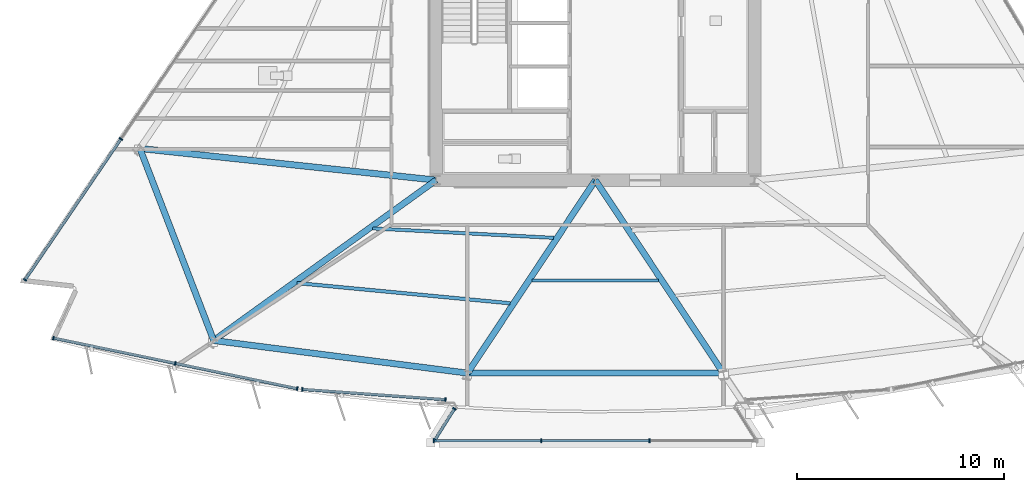
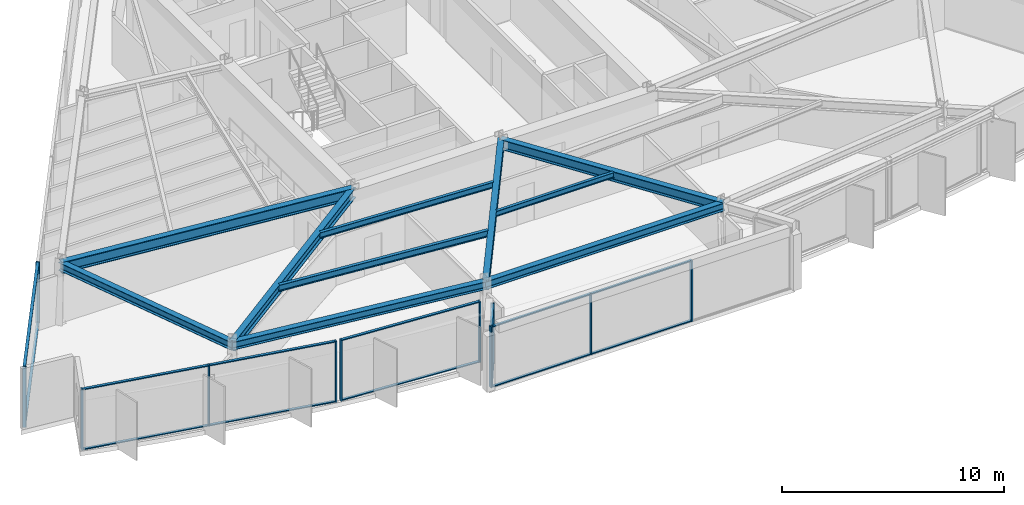
# One storey, part 2 of 15: 26 members, 10 beams, 5 elements without a shape of their own.
"""IFC4 building model written with IfcOpenShell, lengths in metres."""

from ifc_helpers import new_model, si_unit, direction, frame, origin, origin_2d, place, context, subcontext, project, spatial, rectangle, i_section, extrude, material, material_profile, profile_set, type_object, element, aggregate, save


model = new_model("IFC4")

# Units and contexts
model_context = context("Model", 3, precision=1e-05, world=origin(), true_north=direction((0.0, 1.0)))
body_context = subcontext(model_context, "Body", "Model", "MODEL_VIEW")
ifc_project = project(units=[si_unit("LENGTHUNIT", "METRE"), si_unit("AREAUNIT", "SQUARE_METRE"), si_unit("VOLUMEUNIT", "CUBIC_METRE"), si_unit("PLANEANGLEUNIT", "RADIAN"), si_unit("MASSUNIT", "GRAM", prefix="KILO")], contexts=[model_context])

# Site, building, storey
site_placement = place(None, origin())
site = spatial("IfcSite", under=ifc_project, at=site_placement, CompositionType="ELEMENT")
building_placement = place(site_placement, origin())
building = spatial("IfcBuilding", under=site, at=building_placement, Name="Savorim Split Tower", CompositionType="ELEMENT")
storey_placement = place(building_placement, frame((0.0, 0.0, 118.5)))
storey = spatial("IfcBuildingStorey", under=building, at=storey_placement, Name="L31", CompositionType="ELEMENT", Elevation=118.5)

# Beams
ifc_material_1 = material(Name="Steel S355", Category="steel")
ifc_material_profile_1 = material_profile(ifc_material_1, i_section(OverallWidth=0.14990234375, OverallDepth=0.300048828125, WebThickness=0.007080078125, FlangeThickness=0.0107421875, FilletRadius=0.014892578125, at=origin_2d()), Name="IPE 300")
ifc_profile_set_1 = profile_set([ifc_material_profile_1], Name="Steel S355")
beam_type_1 = type_object("IfcBeamType", Name="BM-JST-IPE300", PredefinedType="JOIST", material=ifc_profile_set_1)
beam_1_placement = place(storey_placement, frame((-3.055908203125, -14.250732421875, 3.199951171875), z_axis=(1.0, 0.0, 0.0), x_axis=(0.0, 1.0, 0.0)))
element("IfcBeam", 1, at=beam_1_placement, inside=storey, type_object=beam_type_1, Name="L31 Secondary Floor Joist JS-03", PredefinedType="JOIST", context=body_context, shape_type="SweptSolid", body=[
    extrude(i_section(OverallWidth=0.14990234375, OverallDepth=0.300048828125, WebThickness=0.007080078125, FlangeThickness=0.0107421875, FilletRadius=0.014892578125, at=origin_2d()), origin(), (0.0, 0.0, 1.0), 6.11181640625),
])
ifc_material_profile_2 = material_profile(ifc_material_1, i_section(OverallWidth=0.159912109375, OverallDepth=0.330078125, WebThickness=0.007568359375, FlangeThickness=0.011474609375, FilletRadius=0.01806640625, at=origin_2d()), Name="IPE 330")
ifc_profile_set_2 = profile_set([ifc_material_profile_2], Name="Steel S355")
beam_type_2 = type_object("IfcBeamType", Name="BM-JST-IPE330", PredefinedType="JOIST", material=ifc_profile_set_2)
beam_2_placement = place(storey_placement, frame((-10.76611328125, -11.734375, 3.18505859375), z_axis=(0.998646235544, -0.052016307381, 0.0), x_axis=(0.052016307381, 0.998646235544, 0.0)))
element("IfcBeam", 2, at=beam_2_placement, inside=storey, type_object=beam_type_2, Name="L31 Secondary Floor Joist JS-02", PredefinedType="JOIST", context=body_context, shape_type="SweptSolid", body=[
    extrude(i_section(OverallWidth=0.159912109375, OverallDepth=0.330078125, WebThickness=0.007568359375, FlangeThickness=0.011474609375, FilletRadius=0.01806640625, at=origin_2d()), origin(), (0.0, 0.0, 1.0), 8.762939453125),
])
ifc_material_profile_3 = material_profile(ifc_material_1, i_section(OverallWidth=0.169921875, OverallDepth=0.360107421875, WebThickness=0.008056640625, FlangeThickness=0.0126953125, FilletRadius=0.01806640625, at=origin_2d()), Name="IPE 360")
ifc_profile_set_3 = profile_set([ifc_material_profile_3], Name="Steel S355")
beam_type_3 = type_object("IfcBeamType", Name="BM-JST-IPE360", PredefinedType="JOIST", material=ifc_profile_set_3)
beam_3_placement = place(storey_placement, frame((-14.422607421875, -14.377197265625, 3.169921875), z_axis=(0.995528801056, -0.094458489652, 0.0), x_axis=(0.094458489652, 0.995528801056, 0.0)))
element("IfcBeam", 3, at=beam_3_placement, inside=storey, type_object=beam_type_3, Name="L31 Secondary Floor Joist JS-01", PredefinedType="JOIST", context=body_context, shape_type="SweptSolid", body=[
    extrude(i_section(OverallWidth=0.169921875, OverallDepth=0.360107421875, WebThickness=0.008056640625, FlangeThickness=0.0126953125, FilletRadius=0.01806640625, at=origin_2d()), origin(), (0.0, 0.0, 1.0), 10.3515625),
])
ifc_material_profile_4 = material_profile(ifc_material_1, i_section(OverallWidth=0.300048828125, OverallDepth=0.550048828125, WebThickness=0.014892578125, FlangeThickness=0.029052734375, FilletRadius=0.027099609375, at=origin_2d()), Name="HEB 550")
ifc_profile_set_4 = profile_set([ifc_material_profile_4], Name="Steel S355")
beam_type_4 = type_object("IfcBeamType", Name="BM-PRI-HEB550", PredefinedType="BEAM", material=ifc_profile_set_4)
beam_4_placement = place(storey_placement, frame((-18.452880859375, -17.1533203125, 3.074951171875), z_axis=(0.811129647131, 0.584866391191, 0.0), x_axis=(-0.584866391191, 0.811129647131, 0.0)))
element("IfcBeam", 4, at=beam_4_placement, inside=storey, type_object=beam_type_4, Name="L31 Primary Floor Girder RG-01", PredefinedType="BEAM", context=body_context, shape_type="SweptSolid", body=[
    extrude(i_section(OverallWidth=0.300048828125, OverallDepth=0.550048828125, WebThickness=0.014892578125, FlangeThickness=0.029052734375, FilletRadius=0.027099609375, at=origin_2d()), origin(), (0.0, 0.0, 1.0), 13.2568359375),
])
for number, where, z_axis, x_axis, name in (
    (5, (-6.1845703125, -18.728515625, 3.074951171875), (0.552564064167, 0.833470428384, 0.0), (-0.833470428384, 0.552564064167, 0.0), "L31 Primary Floor Girder RG-02"),
    (6, (6.1845703125, -18.728515625, 3.074951171875), (-0.552564064167, 0.833470428384, 0.0), (-0.833470428384, -0.552564064167, 0.0), "L31 Primary Floor Girder RG-03"),
):
    element("IfcBeam", number, at=place(storey_placement, frame(where, z_axis=z_axis, x_axis=x_axis)), inside=storey, type_object=beam_type_4, Name=name, PredefinedType="BEAM", context=body_context, shape_type="SweptSolid", body=[
        extrude(i_section(OverallWidth=0.300048828125, OverallDepth=0.550048828125, WebThickness=0.014892578125, FlangeThickness=0.029052734375, FilletRadius=0.027099609375, at=origin_2d()), origin(), (0.0, 0.0, 1.0), 11.1923828125),
    ])
ifc_material_2 = material(Name="Steel S460", Category="steel")
ifc_material_profile_5 = material_profile(ifc_material_2, i_section(OverallWidth=0.304931640625, OverallDepth=0.6201171875, WebThickness=0.02099609375, FlangeThickness=0.0400390625, FilletRadius=0.027099609375, at=origin_2d()), Name="HE 600 M")
ifc_profile_set_5 = profile_set([ifc_material_profile_5], Name="Steel S460")
beam_type_5 = type_object("IfcBeamType", Name="BM-PRI-HEM600", PredefinedType="BEAM", material=ifc_profile_set_5)
beam_5_placement = place(storey_placement, frame((-22.02099609375, -7.869873046875, 3.0400390625), z_axis=(0.994341236918, -0.106233255456, 0.0), x_axis=(0.106233255456, 0.994341236918, 0.0)))
element("IfcBeam", 7, at=beam_5_placement, inside=storey, type_object=beam_type_5, Name="L31 Primary Floor Girder RG-10", PredefinedType="BEAM", context=body_context, shape_type="SweptSolid", body=[
    extrude(i_section(OverallWidth=0.304931640625, OverallDepth=0.6201171875, WebThickness=0.02099609375, FlangeThickness=0.0400390625, FilletRadius=0.027099609375, at=origin_2d()), origin(), (0.0, 0.0, 1.0), 14.402587890625),
])
ifc_material_profile_6 = material_profile(ifc_material_1, i_section(OverallWidth=0.300048828125, OverallDepth=0.43994140625, WebThickness=0.011474609375, FlangeThickness=0.02099609375, FilletRadius=0.027099609375, at=origin_2d()), Name="HEA 450")
ifc_profile_set_6 = profile_set([ifc_material_profile_6], Name="Steel S355")
beam_type_6 = type_object("IfcBeamType", Name="BM-SPN-HEA450", PredefinedType="SPANDREL", material=ifc_profile_set_6)
for number, where, z_axis, x_axis, name in (
    (8, (-18.452880859375, -17.1533203125, 3.1298828125), (0.991857836494, -0.12735003803, 0.0), (0.12735003803, 0.991857836494, 0.0), "L31 Perimeter Spandrel Beam 1"),
    (9, (-6.1845703125, -18.728515625, 3.1298828125), (1.0, 0.0, 0.0), (0.0, 1.0, 0.0), "L31 Perimeter Spandrel Beam 2"),
):
    element("IfcBeam", number, at=place(storey_placement, frame(where, z_axis=z_axis, x_axis=x_axis)), inside=storey, type_object=beam_type_6, Name=name, PredefinedType="SPANDREL", context=body_context, shape_type="SweptSolid", body=[
        extrude(i_section(OverallWidth=0.300048828125, OverallDepth=0.43994140625, WebThickness=0.011474609375, FlangeThickness=0.02099609375, FilletRadius=0.027099609375, at=origin_2d()), origin(), (0.0, 0.0, 1.0), 12.369140625),
    ])
beam_6_placement = place(storey_placement, frame((-22.02099609375, -7.869873046875, 3.1298828125), z_axis=(0.358765226169, -0.933427829289, 0.0), x_axis=(0.933427829289, 0.358765226169, 0.0)))
element("IfcBeam", 10, at=beam_6_placement, inside=storey, type_object=beam_type_6, Name="L31 Perimeter Spandrel Beam 10", PredefinedType="SPANDREL", context=body_context, shape_type="SweptSolid", body=[
    extrude(i_section(OverallWidth=0.300048828125, OverallDepth=0.43994140625, WebThickness=0.011474609375, FlangeThickness=0.02099609375, FilletRadius=0.027099609375, at=origin_2d()), origin(), (0.0, 0.0, 1.0), 9.945556640625),
])

# Curtain wall, members
ifc_material_3 = material(Name="Dark Ceramic-Fritted Insulated Glass", Category="glass")
curtain_wall_type_1 = type_object("IfcCurtainWallType", Name="CW-TWR-FRIT-A", PredefinedType="NOTDEFINED", material=ifc_material_3)
curtain_wall_1_placement = place(storey_placement, origin())
curtain_wall_1 = element("IfcCurtainWall", 11, at=curtain_wall_1_placement, inside=storey, type_object=curtain_wall_type_1, Name="L31 Curtain Wall CW-L31-SF1A", PredefinedType="NOTDEFINED")
ifc_material_4 = material(Name="Charcoal Anodised Aluminium", Category="aluminium")
ifc_material_profile_7 = material_profile(ifc_material_4, rectangle(XDim=0.179931640625, YDim=0.06494140625, at=origin_2d()), Name="ALU-M 180x65")
ifc_profile_set_7 = profile_set([ifc_material_profile_7], Name="Charcoal Anodised Aluminium")
member_type_1 = type_object("IfcMemberType", Name="CWM-180x65", PredefinedType="MULLION", material=ifc_profile_set_7)
member_1_placement = place(storey_placement, frame((-26.201171875, -17.0341796875, 0.0), z_axis=(0.0, 0.0, 1.0), x_axis=(0.203216307351, 0.979133868491, 0.0)))
member_1 = element("IfcMember", 12, at=member_1_placement, type_object=member_type_1, Name="CW-02 mullion 1", PredefinedType="MULLION", context=body_context, shape_type="SweptSolid", body=[
    extrude(rectangle(XDim=0.179931640625, YDim=0.06494140625, at=origin_2d()), origin(), (0.0, 0.0, 1.0), 3.35009765625),
])
member_2_placement = place(storey_placement, frame((-20.30859375, -18.257080078125, 0.0), z_axis=(0.0, 0.0, 1.0), x_axis=(0.203216307351, 0.979133868491, 0.0)))
member_2 = element("IfcMember", 13, at=member_2_placement, type_object=member_type_1, Name="CW-02 mullion 2", PredefinedType="MULLION", context=body_context, shape_type="SweptSolid", body=[
    extrude(rectangle(XDim=0.179931640625, YDim=0.06494140625, at=origin_2d()), origin(), (0.0, 0.0, 1.0), 3.35009765625),
])
member_3_placement = place(storey_placement, frame((-14.416259765625, -19.47998046875, 0.0), z_axis=(0.0, 0.0, 1.0), x_axis=(0.203216307351, 0.979133868491, 0.0)))
member_3 = element("IfcMember", 14, at=member_3_placement, type_object=member_type_1, Name="CW-02 mullion 3", PredefinedType="MULLION", context=body_context, shape_type="SweptSolid", body=[
    extrude(rectangle(XDim=0.179931640625, YDim=0.06494140625, at=origin_2d()), origin(), (0.0, 0.0, 1.0), 3.35009765625),
])

curtain_wall_2_placement = place(storey_placement, origin())
curtain_wall_2 = element("IfcCurtainWall", 15, at=curtain_wall_2_placement, inside=storey, type_object=curtain_wall_type_1, Name="L31 Curtain Wall CW-L31-SF2A", PredefinedType="NOTDEFINED")
member_4_placement = place(storey_placement, frame((-14.170166015625, -19.514404296875, 0.0), z_axis=(0.0, 0.0, 1.0), x_axis=(0.071548593758, 0.997437115176, 0.0)))
member_4 = element("IfcMember", 16, at=member_4_placement, type_object=member_type_1, Name="CW-02 mullion 1", PredefinedType="MULLION", context=body_context, shape_type="SweptSolid", body=[
    extrude(rectangle(XDim=0.179931640625, YDim=0.06494140625, at=origin_2d()), origin(), (0.0, 0.0, 1.0), 3.35009765625),
])
member_5_placement = place(storey_placement, frame((-7.253662109375, -20.010498046875, 0.0), z_axis=(0.0, 0.0, 1.0), x_axis=(0.071548593758, 0.997437115176, 0.0)))
member_5 = element("IfcMember", 17, at=member_5_placement, type_object=member_type_1, Name="CW-02 mullion 2", PredefinedType="MULLION", context=body_context, shape_type="SweptSolid", body=[
    extrude(rectangle(XDim=0.179931640625, YDim=0.06494140625, at=origin_2d()), origin(), (0.0, 0.0, 1.0), 3.35009765625),
])

curtain_wall_type_2 = type_object("IfcCurtainWallType", Name="CW-BAY-LOUNGE", PredefinedType="NOTDEFINED", material=ifc_material_3)
curtain_wall_3_placement = place(storey_placement, origin())
curtain_wall_3 = element("IfcCurtainWall", 18, at=curtain_wall_3_placement, inside=storey, type_object=curtain_wall_type_2, Name="L31 Curtain Wall CW-L31-BAYF", PredefinedType="NOTDEFINED")
member_6_placement = place(storey_placement, frame((-7.814453125, -21.99951171875, 0.0), z_axis=(0.0, 0.0, 1.0), x_axis=(0.0, 1.0, 0.0)))
member_6 = element("IfcMember", 19, at=member_6_placement, type_object=member_type_1, Name="CW-04 mullion 1", PredefinedType="MULLION", context=body_context, shape_type="SweptSolid", body=[
    extrude(rectangle(XDim=0.179931640625, YDim=0.06494140625, at=origin_2d()), origin(), (0.0, 0.0, 1.0), 3.35009765625),
])
member_7_placement = place(storey_placement, frame((-2.61572265625, -21.99951171875, 0.0), z_axis=(0.0, 0.0, 1.0), x_axis=(0.0, 1.0, 0.0)))
member_7 = element("IfcMember", 20, at=member_7_placement, type_object=member_type_1, Name="CW-04 mullion 2", PredefinedType="MULLION", context=body_context, shape_type="SweptSolid", body=[
    extrude(rectangle(XDim=0.179931640625, YDim=0.06494140625, at=origin_2d()), origin(), (0.0, 0.0, 1.0), 3.35009765625),
])
member_8_placement = place(storey_placement, frame((2.61572265625, -21.99951171875, 0.0), z_axis=(0.0, 0.0, 1.0), x_axis=(0.0, 1.0, 0.0)))
member_8 = element("IfcMember", 21, at=member_8_placement, type_object=member_type_1, Name="CW-04 mullion 3", PredefinedType="MULLION", context=body_context, shape_type="SweptSolid", body=[
    extrude(rectangle(XDim=0.179931640625, YDim=0.06494140625, at=origin_2d()), origin(), (0.0, 0.0, 1.0), 3.35009765625),
])

curtain_wall_4_placement = place(storey_placement, origin())
curtain_wall_4 = element("IfcCurtainWall", 22, at=curtain_wall_4_placement, inside=storey, type_object=curtain_wall_type_2, Name="L31 Curtain Wall CW-L31-BAYW", PredefinedType="NOTDEFINED")
member_9_placement = place(storey_placement, frame((-6.8154296875, -20.4521484375, 0.0), z_axis=(0.0, 0.0, 1.0), x_axis=(0.847130755522, -0.531384496432, 0.0)))
member_9 = element("IfcMember", 23, at=member_9_placement, type_object=member_type_1, Name="CW-04 mullion 1", PredefinedType="MULLION", context=body_context, shape_type="SweptSolid", body=[
    extrude(rectangle(XDim=0.179931640625, YDim=0.06494140625, at=origin_2d()), origin(), (0.0, 0.0, 1.0), 3.35009765625),
])
member_10_placement = place(storey_placement, frame((-7.756103515625, -21.951416015625, 0.0), z_axis=(0.0, 0.0, 1.0), x_axis=(0.847130755522, -0.531384496432, 0.0)))
member_10 = element("IfcMember", 24, at=member_10_placement, type_object=member_type_1, Name="CW-04 mullion 2", PredefinedType="MULLION", context=body_context, shape_type="SweptSolid", body=[
    extrude(rectangle(XDim=0.179931640625, YDim=0.06494140625, at=origin_2d()), origin(), (0.0, 0.0, 1.0), 3.35009765625),
])

curtain_wall_5_placement = place(storey_placement, origin())
curtain_wall_5 = element("IfcCurtainWall", 25, at=curtain_wall_5_placement, inside=storey, type_object=curtain_wall_type_1, Name="L31 Curtain Wall CW-L31-WEST", PredefinedType="NOTDEFINED")
member_11_placement = place(storey_placement, frame((-22.94140625, -7.4091796875, 0.0), z_axis=(0.0, 0.0, 1.0), x_axis=(0.826819959579, -0.562466669628, 0.0)))
member_11 = element("IfcMember", 26, at=member_11_placement, type_object=member_type_1, Name="CW-02 mullion 4", PredefinedType="MULLION", context=body_context, shape_type="SweptSolid", body=[
    extrude(rectangle(XDim=0.179931640625, YDim=0.06494140625, at=origin_2d()), origin(), (0.0, 0.0, 1.0), 3.35009765625),
])
member_12_placement = place(storey_placement, frame((-27.57568359375, -14.221435546875, 0.0), z_axis=(0.0, 0.0, 1.0), x_axis=(0.826819959579, -0.562466669628, 0.0)))
member_12 = element("IfcMember", 27, at=member_12_placement, type_object=member_type_1, Name="CW-02 mullion 5", PredefinedType="MULLION", context=body_context, shape_type="SweptSolid", body=[
    extrude(rectangle(XDim=0.179931640625, YDim=0.06494140625, at=origin_2d()), origin(), (0.0, 0.0, 1.0), 3.35009765625),
])

# Member
ifc_material_profile_8 = material_profile(ifc_material_4, rectangle(XDim=0.139892578125, YDim=0.054931640625, at=origin_2d()), Name="ALU-T 140x55")
ifc_profile_set_8 = profile_set([ifc_material_profile_8], Name="Charcoal Anodised Aluminium")
member_type_2 = type_object("IfcMemberType", Name="CWT-140x55", PredefinedType="USERDEFINED", material=ifc_profile_set_8)
member_13_placement = place(storey_placement, frame((-26.169189453125, -17.040771484375, 0.027587890625), z_axis=(0.979133683494, -0.203217198698, 0.0), x_axis=(0.203217198698, 0.979133683494, 0.0)))
member_13 = element("IfcMember", 28, at=member_13_placement, type_object=member_type_2, Name="CW-02 transom 1.1", ObjectType="TRANSOM", PredefinedType="USERDEFINED", context=body_context, shape_type="SweptSolid", body=[
    extrude(rectangle(XDim=0.139892578125, YDim=0.054931640625, at=origin_2d()), origin(), (0.0, 0.0, 1.0), 5.952880859375),
])

member_14_placement = place(storey_placement, frame((-26.169189453125, -17.040771484375, 3.322509765625), z_axis=(0.979133683494, -0.203217198698, 0.0), x_axis=(0.203217198698, 0.979133683494, 0.0)))
member_14 = element("IfcMember", 29, at=member_14_placement, type_object=member_type_2, Name="CW-02 transom 1.2", ObjectType="TRANSOM", PredefinedType="USERDEFINED", context=body_context, shape_type="SweptSolid", body=[
    extrude(rectangle(XDim=0.139892578125, YDim=0.054931640625, at=origin_2d()), origin(), (0.0, 0.0, 1.0), 5.952880859375),
])

member_15_placement = place(storey_placement, frame((-20.27685546875, -18.263671875, 0.027587890625), z_axis=(0.979133683494, -0.203217198698, 0.0), x_axis=(0.203217198698, 0.979133683494, 0.0)))
member_15 = element("IfcMember", 30, at=member_15_placement, type_object=member_type_2, Name="CW-02 transom 2.1", ObjectType="TRANSOM", PredefinedType="USERDEFINED", context=body_context, shape_type="SweptSolid", body=[
    extrude(rectangle(XDim=0.139892578125, YDim=0.054931640625, at=origin_2d()), origin(), (0.0, 0.0, 1.0), 5.952880859375),
])

member_16_placement = place(storey_placement, frame((-20.27685546875, -18.263671875, 3.322509765625), z_axis=(0.979133683494, -0.203217198698, 0.0), x_axis=(0.203217198698, 0.979133683494, 0.0)))
member_16 = element("IfcMember", 31, at=member_16_placement, type_object=member_type_2, Name="CW-02 transom 2.2", ObjectType="TRANSOM", PredefinedType="USERDEFINED", context=body_context, shape_type="SweptSolid", body=[
    extrude(rectangle(XDim=0.139892578125, YDim=0.054931640625, at=origin_2d()), origin(), (0.0, 0.0, 1.0), 5.952880859375),
])

aggregate(curtain_wall_1, [member_1, member_2, member_3, member_13, member_14, member_15, member_16])

member_17_placement = place(storey_placement, frame((-14.137939453125, -19.5166015625, 0.027587890625), z_axis=(0.997437548387, -0.071542554246, 0.0), x_axis=(0.071542554246, 0.997437548387, 0.0)))
member_17 = element("IfcMember", 32, at=member_17_placement, type_object=member_type_2, Name="CW-02 transom 1.1", ObjectType="TRANSOM", PredefinedType="USERDEFINED", context=body_context, shape_type="SweptSolid", body=[
    extrude(rectangle(XDim=0.139892578125, YDim=0.054931640625, at=origin_2d()), origin(), (0.0, 0.0, 1.0), 6.869384765625),
])

member_18_placement = place(storey_placement, frame((-14.137939453125, -19.5166015625, 3.322509765625), z_axis=(0.997437548387, -0.071542554246, 0.0), x_axis=(0.071542554246, 0.997437548387, 0.0)))
member_18 = element("IfcMember", 33, at=member_18_placement, type_object=member_type_2, Name="CW-02 transom 1.2", ObjectType="TRANSOM", PredefinedType="USERDEFINED", context=body_context, shape_type="SweptSolid", body=[
    extrude(rectangle(XDim=0.139892578125, YDim=0.054931640625, at=origin_2d()), origin(), (0.0, 0.0, 1.0), 6.869384765625),
])

aggregate(curtain_wall_2, [member_4, member_5, member_17, member_18])

member_19_placement = place(storey_placement, frame((-7.781982421875, -21.99951171875, 0.027587890625), z_axis=(1.0, 0.0, 0.0), x_axis=(0.0, 1.0, 0.0)))
member_19 = element("IfcMember", 34, at=member_19_placement, type_object=member_type_2, Name="CW-04 transom 1.1", ObjectType="TRANSOM", PredefinedType="USERDEFINED", context=body_context, shape_type="SweptSolid", body=[
    extrude(rectangle(XDim=0.139892578125, YDim=0.054931640625, at=origin_2d()), origin(), (0.0, 0.0, 1.0), 5.1337890625),
])

member_20_placement = place(storey_placement, frame((-7.781982421875, -21.99951171875, 3.322509765625), z_axis=(1.0, 0.0, 0.0), x_axis=(0.0, 1.0, 0.0)))
member_20 = element("IfcMember", 35, at=member_20_placement, type_object=member_type_2, Name="CW-04 transom 1.2", ObjectType="TRANSOM", PredefinedType="USERDEFINED", context=body_context, shape_type="SweptSolid", body=[
    extrude(rectangle(XDim=0.139892578125, YDim=0.054931640625, at=origin_2d()), origin(), (0.0, 0.0, 1.0), 5.1337890625),
])

member_21_placement = place(storey_placement, frame((-2.583251953125, -21.99951171875, 0.027587890625), z_axis=(1.0, 0.0, 0.0), x_axis=(0.0, 1.0, 0.0)))
member_21 = element("IfcMember", 36, at=member_21_placement, type_object=member_type_2, Name="CW-04 transom 2.1", ObjectType="TRANSOM", PredefinedType="USERDEFINED", context=body_context, shape_type="SweptSolid", body=[
    extrude(rectangle(XDim=0.139892578125, YDim=0.054931640625, at=origin_2d()), origin(), (0.0, 0.0, 1.0), 5.16650390625),
])

member_22_placement = place(storey_placement, frame((-2.583251953125, -21.99951171875, 3.322509765625), z_axis=(1.0, 0.0, 0.0), x_axis=(0.0, 1.0, 0.0)))
member_22 = element("IfcMember", 37, at=member_22_placement, type_object=member_type_2, Name="CW-04 transom 2.2", ObjectType="TRANSOM", PredefinedType="USERDEFINED", context=body_context, shape_type="SweptSolid", body=[
    extrude(rectangle(XDim=0.139892578125, YDim=0.054931640625, at=origin_2d()), origin(), (0.0, 0.0, 1.0), 5.16650390625),
])

aggregate(curtain_wall_3, [member_6, member_7, member_8, member_19, member_20, member_21, member_22])

member_23_placement = place(storey_placement, frame((-6.832763671875, -20.4794921875, 0.027587890625), z_axis=(-0.531388323882, -0.847128354644, 0.0), x_axis=(0.847128354644, -0.531388323882, 0.0)))
member_23 = element("IfcMember", 38, at=member_23_placement, type_object=member_type_2, Name="CW-04 transom 1.1", ObjectType="TRANSOM", PredefinedType="USERDEFINED", context=body_context, shape_type="SweptSolid", body=[
    extrude(rectangle(XDim=0.139892578125, YDim=0.054931640625, at=origin_2d()), origin(), (0.0, 0.0, 1.0), 1.705078125),
])

member_24_placement = place(storey_placement, frame((-6.832763671875, -20.4794921875, 3.322509765625), z_axis=(-0.531388323882, -0.847128354644, 0.0), x_axis=(0.847128354644, -0.531388323882, 0.0)))
member_24 = element("IfcMember", 39, at=member_24_placement, type_object=member_type_2, Name="CW-04 transom 1.2", ObjectType="TRANSOM", PredefinedType="USERDEFINED", context=body_context, shape_type="SweptSolid", body=[
    extrude(rectangle(XDim=0.139892578125, YDim=0.054931640625, at=origin_2d()), origin(), (0.0, 0.0, 1.0), 1.705078125),
])

aggregate(curtain_wall_4, [member_9, member_10, member_23, member_24])

member_25_placement = place(storey_placement, frame((-22.959716796875, -7.43603515625, 0.027587890625), z_axis=(-0.562478304433, -0.826812044568, 0.0), x_axis=(0.826812044568, -0.562478304433, 0.0)))
member_25 = element("IfcMember", 40, at=member_25_placement, type_object=member_type_2, Name="CW-02 transom 4.1", ObjectType="TRANSOM", PredefinedType="USERDEFINED", context=body_context, shape_type="SweptSolid", body=[
    extrude(rectangle(XDim=0.139892578125, YDim=0.054931640625, at=origin_2d()), origin(), (0.0, 0.0, 1.0), 8.173828125),
])

member_26_placement = place(storey_placement, frame((-22.959716796875, -7.43603515625, 3.322509765625), z_axis=(-0.562478304433, -0.826812044568, 0.0), x_axis=(0.826812044568, -0.562478304433, 0.0)))
member_26 = element("IfcMember", 41, at=member_26_placement, type_object=member_type_2, Name="CW-02 transom 4.2", ObjectType="TRANSOM", PredefinedType="USERDEFINED", context=body_context, shape_type="SweptSolid", body=[
    extrude(rectangle(XDim=0.139892578125, YDim=0.054931640625, at=origin_2d()), origin(), (0.0, 0.0, 1.0), 8.173828125),
])

aggregate(curtain_wall_5, [member_11, member_12, member_25, member_26])

save(model, "model.ifc")
